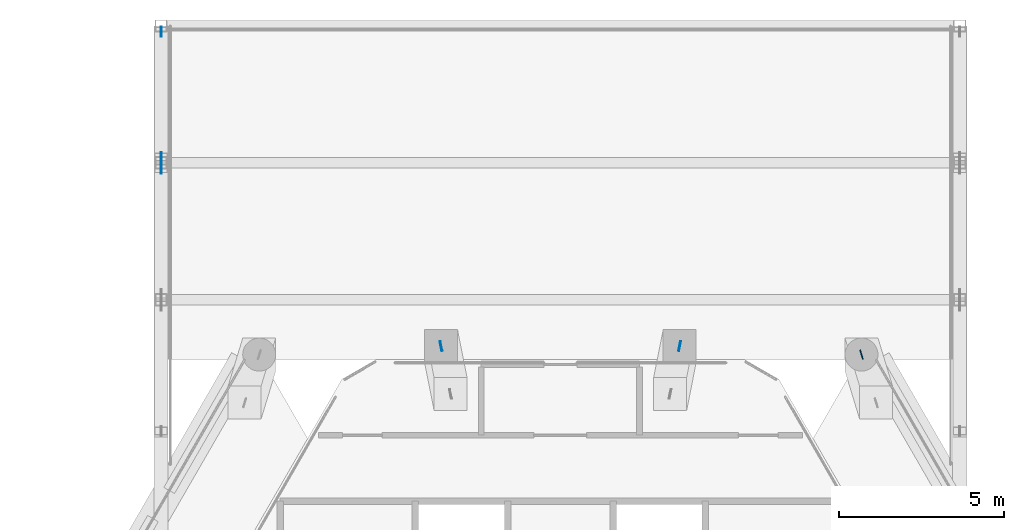
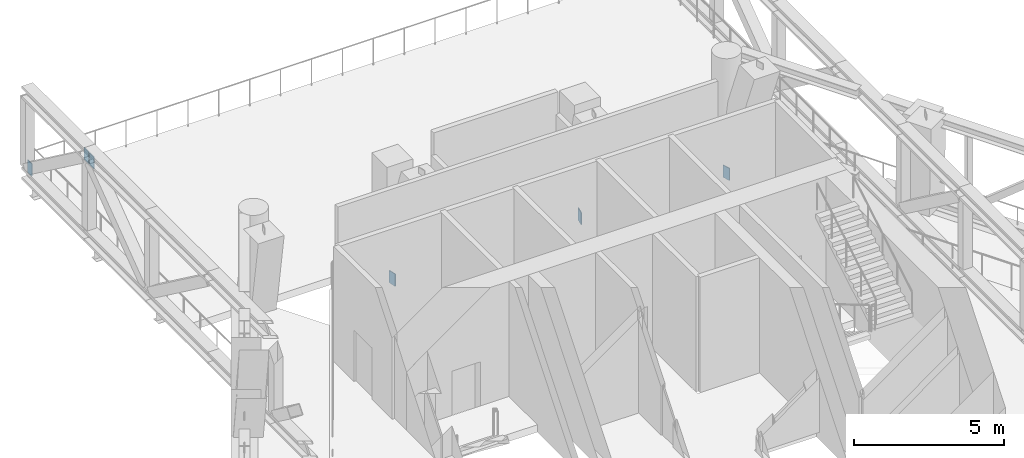
# One storey, part 16 of 22: 6 discrete accessories.
"""IFC4 building model written with IfcOpenShell, lengths in metres."""

from ifc_helpers import new_model, si_unit, direction, frame, origin, origin_2d, place, context, subcontext, project, spatial, rectangle, extrude, material, layer, layer_set, type_object, element, save


model = new_model("IFC4")

# Units and contexts
model_context = context("Model", 3, precision=1e-05, world=origin(), true_north=direction((0.0, 1.0)))
body_context = subcontext(model_context, "Body", "Model", "MODEL_VIEW")
ifc_project = project(units=[si_unit("LENGTHUNIT", "METRE"), si_unit("AREAUNIT", "SQUARE_METRE"), si_unit("VOLUMEUNIT", "CUBIC_METRE"), si_unit("PLANEANGLEUNIT", "RADIAN"), si_unit("MASSUNIT", "GRAM", prefix="KILO")], contexts=[model_context])

# Site, building, storey
site_placement = place(None, origin())
site = spatial("IfcSite", under=ifc_project, at=site_placement, CompositionType="ELEMENT")
building_placement = place(site_placement, origin())
building = spatial("IfcBuilding", under=site, at=building_placement, Name="Ostrander Bayou Hotel Tower", CompositionType="ELEMENT")
storey_placement = place(building_placement, frame((0.0, 0.0, 209.5)))
storey = spatial("IfcBuildingStorey", under=building, at=storey_placement, Name="L52", CompositionType="ELEMENT", Elevation=209.5)

# Discrete accessories
ifc_material = material(Name="Steel ASTM A572 Gr 50", Category="steel")
ifc_layer = layer(ifc_material, 0.030029296875)
ifc_layer_set = layer_set([ifc_layer], Name="GP1 gusset plate 30 mm")
discrete_accessory_type = type_object("IfcDiscreteAccessoryType", Name="GP1 gusset plate 30 mm", PredefinedType="BRACKET", material=ifc_layer_set)
for number, where, z_axis, x_axis, name in (
    (1, (-12.110107421875, 27.83837890625, 0.247802734375), (0.0, 0.0, 1.0), (0.0, -1.0, 0.0), "GP1 gusset plate bar 165"),
    (2, (-12.110107421875, 24.039306640625, 3.05224609375), (0.0, 0.0, 1.0), (0.0, -1.0, 0.0), "GP1 gusset plate bar 166"),
    (3, (-12.110107421875, 23.68359375, 3.05224609375), (0.0, 0.0, 1.0), (0.0, 1.0, 0.0), "GP1 gusset plate bar 168"),
    (4, (9.133544921875, 18.04541015625, -1.449951171875), (0.0, 0.0, 1.0), (0.291503669765, -0.956569710222, 0.0), "GP1 gusset plate belt 131"),
    (5, (3.6181640625, 18.300048828125, -1.449951171875), (0.0, 0.0, 1.0), (-0.195278615676, -0.980747807675, 0.0), "GP1 gusset plate belt 133"),
    (6, (-3.6181640625, 18.300048828125, -1.449951171875), (0.0, 0.0, 1.0), (0.195278615676, -0.980747807675, 0.0), "GP1 gusset plate belt 135"),
):
    element("IfcDiscreteAccessory", number, at=place(storey_placement, frame(where, z_axis=z_axis, x_axis=x_axis)), inside=storey, type_object=discrete_accessory_type, Name=name, PredefinedType="BRACKET", context=body_context, shape_type="SweptSolid", body=[
        extrude(rectangle(XDim=0.300048828125, YDim=0.030029296875, at=origin_2d()), origin(), (0.0, 0.0, 1.0), 0.5),
    ])

save(model, "model.ifc")
